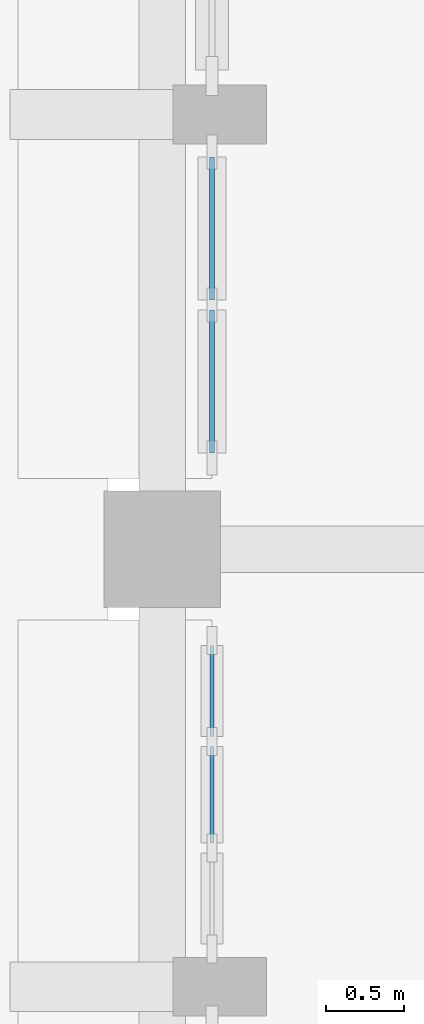
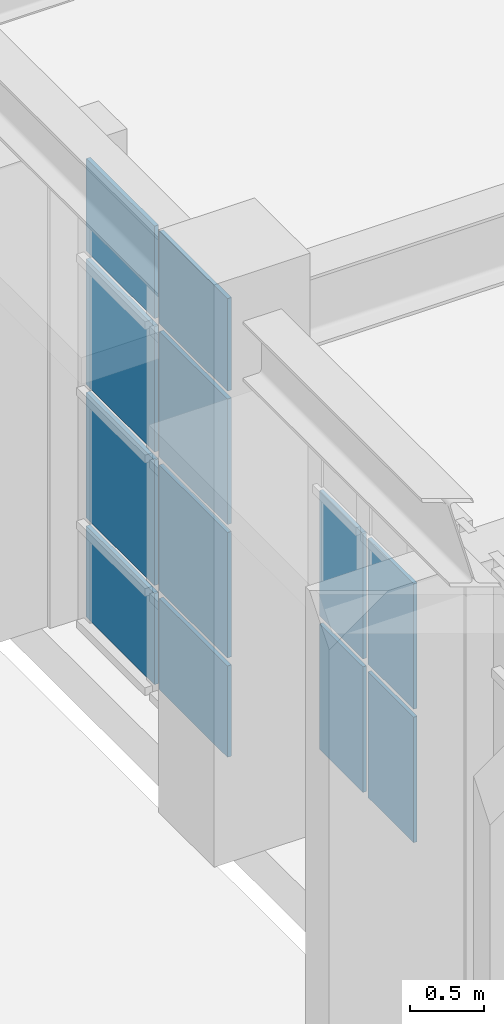
# One storey, part 114 of 155: 12 plates, 2 elements without a shape of their own.
"""IFC4 building model written with IfcOpenShell, lengths in metres."""

from ifc_helpers import new_model, si_unit, direction, frame, origin, origin_2d, place, context, subcontext, project, spatial, rectangle, extrude, material, layer, layer_set, type_object, element, aggregate, save


model = new_model("IFC4")

# Units and contexts
model_context = context("Model", 3, precision=1e-05, world=origin(), true_north=direction((0.0, 1.0)))
body_context = subcontext(model_context, "Body", "Model", "MODEL_VIEW")
ifc_project = project(units=[si_unit("LENGTHUNIT", "METRE"), si_unit("AREAUNIT", "SQUARE_METRE"), si_unit("VOLUMEUNIT", "CUBIC_METRE"), si_unit("PLANEANGLEUNIT", "RADIAN"), si_unit("MASSUNIT", "GRAM", prefix="KILO")], contexts=[model_context])

# Site, building, storey
site_placement = place(None, origin())
site = spatial("IfcSite", under=ifc_project, at=site_placement, CompositionType="ELEMENT")
building_placement = place(site_placement, origin())
building = spatial("IfcBuilding", under=site, at=building_placement, Name="Tazarka Park Arena", CompositionType="ELEMENT")
storey_placement = place(building_placement, frame((0.0, 0.0, 5.39990234375)))
storey = spatial("IfcBuildingStorey", under=building, at=storey_placement, Name="L01", CompositionType="ELEMENT", Elevation=5.39990234375)

# Curtain wall, plates
ifc_material_1 = material(Name="Aluminium and low-e glass", Category="aluminium")
ifc_layer_1 = layer(ifc_material_1, 0.179931640625, Name="Aluminium and low-e glass")
ifc_layer_set_1 = layer_set([ifc_layer_1], Name="Aluminium and low-e glass")
curtain_wall_type_1 = type_object("IfcCurtainWallType", Name="CW-03", PredefinedType="NOTDEFINED", material=ifc_layer_set_1)
curtain_wall_1_placement = place(storey_placement, origin())
curtain_wall_1 = element("IfcCurtainWall", 1, at=curtain_wall_1_placement, inside=storey, type_object=curtain_wall_type_1, Name="Curtain Wall CWA-L01-153", PredefinedType="NOTDEFINED")
ifc_material_2 = material(Name="Double low-e insulated glazing", Category="glass")
ifc_layer_2 = layer(ifc_material_2, 0.028076171875, Name="Double low-e insulated glazing")
ifc_layer_set_2 = layer_set([ifc_layer_2], Name="Double low-e insulated glazing")
plate_type_1 = type_object("IfcPlateType", Name="CWP-01", PredefinedType="CURTAIN_PANEL", material=ifc_layer_set_2)
plate_1_placement = place(storey_placement, frame((136.320068359375, 94.41845703125, 0.8828125), z_axis=(0.0, 0.0, 1.0), x_axis=(0.0, 1.0, 0.0)))
plate_1 = element("IfcPlate", 2, at=plate_1_placement, type_object=plate_type_1, Name="CW-03 panel 2.2", PredefinedType="CURTAIN_PANEL", context=body_context, shape_type="SweptSolid", body=[
    extrude(rectangle(XDim=0.619384765625, YDim=0.028076171875, at=origin_2d()), origin(), (0.0, 0.0, 1.0), 1.034912109375),
])
plate_2_placement = place(storey_placement, frame((136.320068359375, 94.41845703125, 1.982421875), z_axis=(0.0, 0.0, 1.0), x_axis=(0.0, 1.0, 0.0)))
plate_2 = element("IfcPlate", 3, at=plate_2_placement, type_object=plate_type_1, Name="CW-03 panel 2.3", PredefinedType="CURTAIN_PANEL", context=body_context, shape_type="SweptSolid", body=[
    extrude(rectangle(XDim=0.619384765625, YDim=0.028076171875, at=origin_2d()), origin(), (0.0, 0.0, 1.0), 1.034912109375),
])
plate_3_placement = place(storey_placement, frame((136.320068359375, 95.08642578125, 0.8828125), z_axis=(0.0, 0.0, 1.0), x_axis=(0.0, 1.0, 0.0)))
plate_3 = element("IfcPlate", 4, at=plate_3_placement, type_object=plate_type_1, Name="CW-03 panel 3.2", PredefinedType="CURTAIN_PANEL", context=body_context, shape_type="SweptSolid", body=[
    extrude(rectangle(XDim=0.5869140625, YDim=0.028076171875, at=origin_2d()), origin(), (0.0, 0.0, 1.0), 1.034912109375),
])
plate_4_placement = place(storey_placement, frame((136.320068359375, 95.08642578125, 1.982421875), z_axis=(0.0, 0.0, 1.0), x_axis=(0.0, 1.0, 0.0)))
plate_4 = element("IfcPlate", 5, at=plate_4_placement, type_object=plate_type_1, Name="CW-03 panel 3.3", PredefinedType="CURTAIN_PANEL", context=body_context, shape_type="SweptSolid", body=[
    extrude(rectangle(XDim=0.5869140625, YDim=0.028076171875, at=origin_2d()), origin(), (0.0, 0.0, 1.0), 1.034912109375),
])
aggregate(curtain_wall_1, [plate_1, plate_2, plate_3, plate_4])

ifc_material_3 = material(Name="Aluminium and low-e glass", Category="aluminium")
ifc_layer_3 = layer(ifc_material_3, 0.179931640625, Name="Aluminium and low-e glass")
ifc_layer_set_3 = layer_set([ifc_layer_3], Name="Aluminium and low-e glass")
curtain_wall_type_2 = type_object("IfcCurtainWallType", Name="CW-28", PredefinedType="NOTDEFINED", material=ifc_layer_set_3)
curtain_wall_2_placement = place(storey_placement, origin())
curtain_wall_2 = element("IfcCurtainWall", 6, at=curtain_wall_2_placement, inside=storey, type_object=curtain_wall_type_2, Name="Curtain Wall CWA-L01-148", PredefinedType="NOTDEFINED")
ifc_material_4 = material(Name="Triple acoustic solar glazing", Category="glass")
ifc_layer_4 = layer(ifc_material_4, 0.031982421875, Name="Triple acoustic solar glazing")
ifc_layer_set_4 = layer_set([ifc_layer_4], Name="Triple acoustic solar glazing")
plate_type_2 = type_object("IfcPlateType", Name="CWP-02", PredefinedType="CURTAIN_PANEL", material=ifc_layer_set_4)
plate_5_placement = place(storey_placement, frame((136.320068359375, 97.080322265625, 0.065185546875), z_axis=(0.0, 0.0, 1.0), x_axis=(0.0, 1.0, 0.0)))
plate_5 = element("IfcPlate", 7, at=plate_5_placement, type_object=plate_type_2, Name="CW-28 panel 1.1", PredefinedType="CURTAIN_PANEL", context=body_context, shape_type="SweptSolid", body=[
    extrude(rectangle(XDim=0.9208984375, YDim=0.031982421875, at=origin_2d()), origin(), (0.0, 0.0, 1.0), 0.75244140625),
])
plate_6_placement = place(storey_placement, frame((136.320068359375, 97.080322265625, 0.8828125), z_axis=(0.0, 0.0, 1.0), x_axis=(0.0, 1.0, 0.0)))
plate_6 = element("IfcPlate", 8, at=plate_6_placement, type_object=plate_type_2, Name="CW-28 panel 1.2", PredefinedType="CURTAIN_PANEL", context=body_context, shape_type="SweptSolid", body=[
    extrude(rectangle(XDim=0.9208984375, YDim=0.031982421875, at=origin_2d()), origin(), (0.0, 0.0, 1.0), 1.034912109375),
])
plate_7_placement = place(storey_placement, frame((136.320068359375, 97.080322265625, 1.982421875), z_axis=(0.0, 0.0, 1.0), x_axis=(0.0, 1.0, 0.0)))
plate_7 = element("IfcPlate", 9, at=plate_7_placement, type_object=plate_type_2, Name="CW-28 panel 1.3", PredefinedType="CURTAIN_PANEL", context=body_context, shape_type="SweptSolid", body=[
    extrude(rectangle(XDim=0.9208984375, YDim=0.031982421875, at=origin_2d()), origin(), (0.0, 0.0, 1.0), 1.034912109375),
])
plate_8_placement = place(storey_placement, frame((136.320068359375, 97.080322265625, 3.08251953125), z_axis=(0.0, 0.0, 1.0), x_axis=(0.0, 1.0, 0.0)))
plate_8 = element("IfcPlate", 10, at=plate_8_placement, type_object=plate_type_2, Name="CW-28 panel 1.4", PredefinedType="CURTAIN_PANEL", context=body_context, shape_type="SweptSolid", body=[
    extrude(rectangle(XDim=0.9208984375, YDim=0.031982421875, at=origin_2d()), origin(), (0.0, 0.0, 1.0), 0.762451171875),
])
plate_9_placement = place(storey_placement, frame((136.320068359375, 98.066162109375, 0.065185546875), z_axis=(0.0, 0.0, 1.0), x_axis=(0.0, 1.0, 0.0)))
plate_9 = element("IfcPlate", 11, at=plate_9_placement, type_object=plate_type_2, Name="CW-28 panel 2.1", PredefinedType="CURTAIN_PANEL", context=body_context, shape_type="SweptSolid", body=[
    extrude(rectangle(XDim=0.9208984375, YDim=0.031982421875, at=origin_2d()), origin(), (0.0, 0.0, 1.0), 0.75244140625),
])
plate_10_placement = place(storey_placement, frame((136.320068359375, 98.066162109375, 0.8828125), z_axis=(0.0, 0.0, 1.0), x_axis=(0.0, 1.0, 0.0)))
plate_10 = element("IfcPlate", 12, at=plate_10_placement, type_object=plate_type_2, Name="CW-28 panel 2.2", PredefinedType="CURTAIN_PANEL", context=body_context, shape_type="SweptSolid", body=[
    extrude(rectangle(XDim=0.9208984375, YDim=0.031982421875, at=origin_2d()), origin(), (0.0, 0.0, 1.0), 1.034912109375),
])
plate_11_placement = place(storey_placement, frame((136.320068359375, 98.066162109375, 1.982421875), z_axis=(0.0, 0.0, 1.0), x_axis=(0.0, 1.0, 0.0)))
plate_11 = element("IfcPlate", 13, at=plate_11_placement, type_object=plate_type_2, Name="CW-28 panel 2.3", PredefinedType="CURTAIN_PANEL", context=body_context, shape_type="SweptSolid", body=[
    extrude(rectangle(XDim=0.9208984375, YDim=0.031982421875, at=origin_2d()), origin(), (0.0, 0.0, 1.0), 1.034912109375),
])
plate_12_placement = place(storey_placement, frame((136.320068359375, 98.066162109375, 3.08251953125), z_axis=(0.0, 0.0, 1.0), x_axis=(0.0, 1.0, 0.0)))
plate_12 = element("IfcPlate", 14, at=plate_12_placement, type_object=plate_type_2, Name="CW-28 panel 2.4", PredefinedType="CURTAIN_PANEL", context=body_context, shape_type="SweptSolid", body=[
    extrude(rectangle(XDim=0.9208984375, YDim=0.031982421875, at=origin_2d()), origin(), (0.0, 0.0, 1.0), 0.762451171875),
])
aggregate(curtain_wall_2, [plate_5, plate_6, plate_7, plate_8, plate_9, plate_10, plate_11, plate_12])

save(model, "model.ifc")
